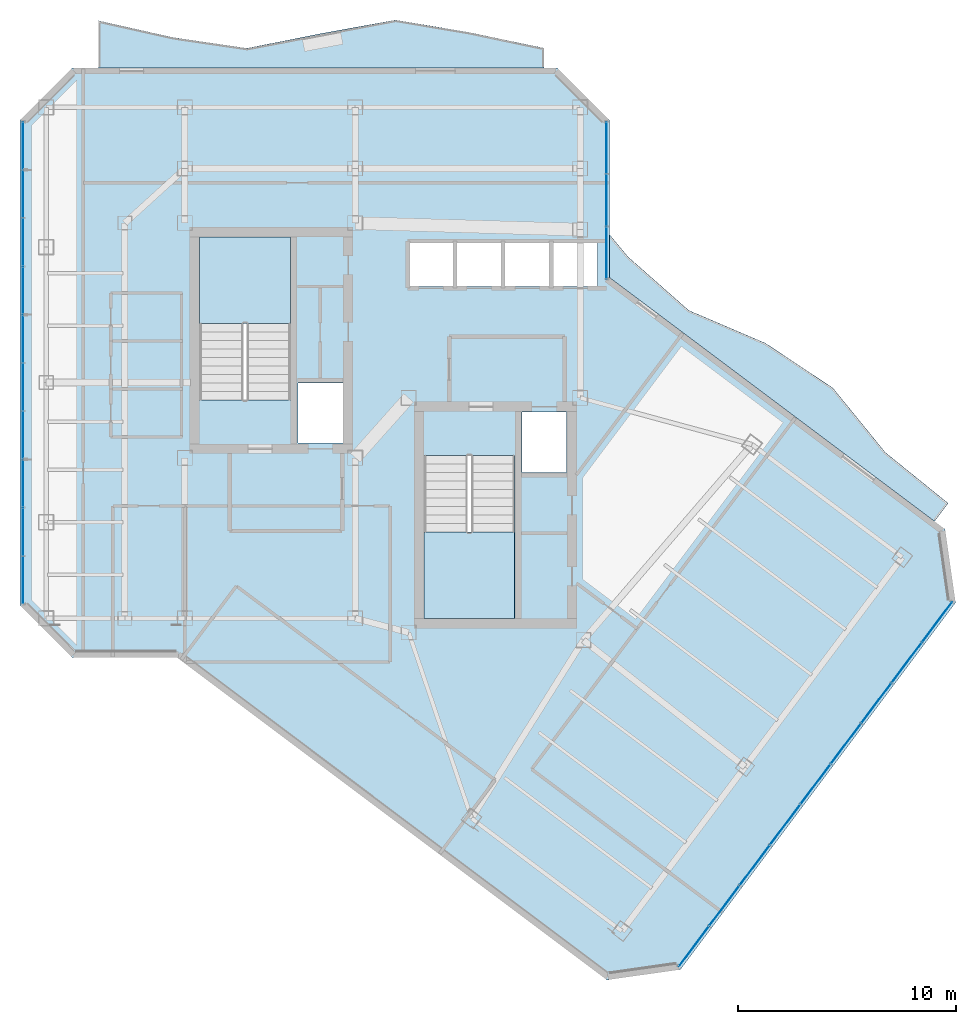
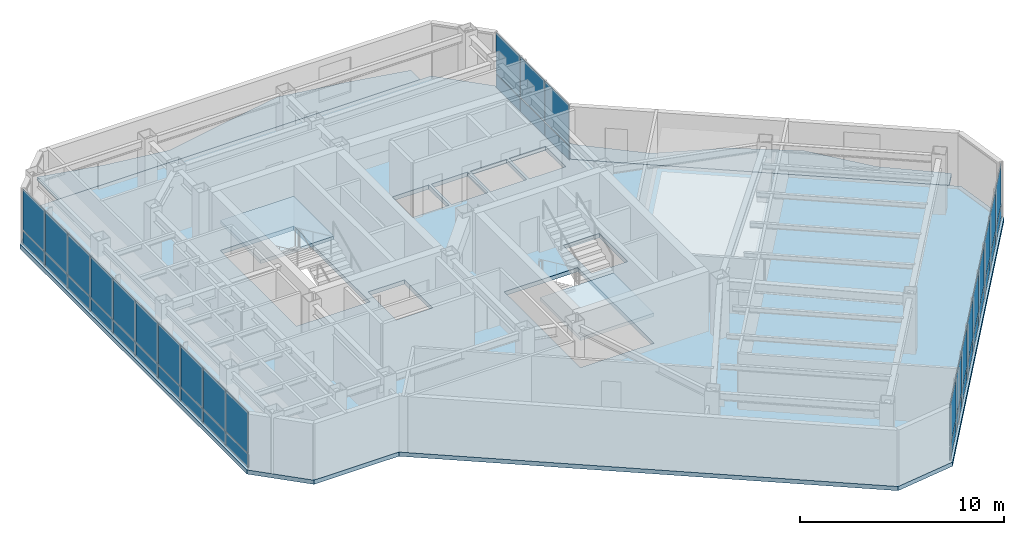
# One storey, part 18 of 25: 44 plates, 5 slabs, 5 elements without a shape of their own.
"""IFC4 building model written with IfcOpenShell, lengths in metres."""

from ifc_helpers import new_model, si_unit, direction, frame, origin, origin_2d, place, context, subcontext, project, spatial, polyline, rectangle, outline, extrude, material, layer, layer_set, type_object, element, aggregate, save


model = new_model("IFC4")

# Units and contexts
model_context = context("Model", 3, precision=1e-05, world=origin(), true_north=direction((0.0, 1.0)))
body_context = subcontext(model_context, "Body", "Model", "MODEL_VIEW")
ifc_project = project(units=[si_unit("LENGTHUNIT", "METRE"), si_unit("AREAUNIT", "SQUARE_METRE"), si_unit("VOLUMEUNIT", "CUBIC_METRE"), si_unit("PLANEANGLEUNIT", "RADIAN"), si_unit("MASSUNIT", "GRAM", prefix="KILO")], contexts=[model_context])

# Site, building, storey
site_placement = place(None, origin())
site = spatial("IfcSite", under=ifc_project, at=site_placement, CompositionType="ELEMENT")
building_placement = place(site_placement, origin())
building = spatial("IfcBuilding", under=site, at=building_placement, Name="Hatsunagi Terrace Concourse", CompositionType="ELEMENT")
storey_placement = place(building_placement, frame((0.0, 0.0, 220.35009765625)))
storey = spatial("IfcBuildingStorey", under=building, at=storey_placement, Name="L58", CompositionType="ELEMENT", Elevation=220.35009765625)

# Curtain wall, plates
ifc_material_1 = material(Name="Anodised Aluminium Alloy 6063-T5", Category="aluminium")
ifc_layer_1 = layer(ifc_material_1, 0.199951171875)
ifc_layer_set_1 = layer_set([ifc_layer_1], Name="OfficeZone2_CW04")
curtain_wall_type = type_object("IfcCurtainWallType", Name="OfficeZone2_CW04", PredefinedType="NOTDEFINED", material=ifc_layer_set_1)
curtain_wall_1_placement = place(storey_placement, origin())
curtain_wall_1 = element("IfcCurtainWall", 1, at=curtain_wall_1_placement, inside=storey, type_object=curtain_wall_type, Name="Unitised Curtain Wall CW-04 CW-L58-03", PredefinedType="NOTDEFINED")
ifc_material_2 = material(Name="Warm Terracotta Ceramic Spandrel Panel", Category="masonry")
ifc_layer_2 = layer(ifc_material_2, 0.031982421875)
ifc_layer_set_2 = layer_set([ifc_layer_2], Name="CurtainWallSpandrelPanel_32")
plate_type_1 = type_object("IfcPlateType", Name="CurtainWallSpandrelPanel_32", PredefinedType="SHEET", material=ifc_layer_set_2)
plate_1_placement = place(storey_placement, frame((59.9970703125, 25.030029296875, 0.02978515625), z_axis=(0.0, 0.0, 1.0), x_axis=(-0.599969314634, -0.800023013105, 0.0)))
plate_1 = element("IfcPlate", 2, at=plate_1_placement, type_object=plate_type_1, Name="Terracotta Spandrel Panel SPN-01", PredefinedType="SHEET", context=body_context, shape_type="SweptSolid", body=[
    extrude(rectangle(XDim=2.264892578125, YDim=0.031982421875, at=origin_2d()), origin(), (0.0, 0.0, 1.0), 0.7900390625),
])
plate_2_placement = place(storey_placement, frame((58.60498046875, 23.173095703125, 0.02978515625), z_axis=(0.0, 0.0, 1.0), x_axis=(-0.599969314634, -0.800023013105, 0.0)))
plate_2 = element("IfcPlate", 3, at=plate_2_placement, type_object=plate_type_1, Name="Terracotta Spandrel Panel SPN-01", PredefinedType="SHEET", context=body_context, shape_type="SweptSolid", body=[
    extrude(rectangle(XDim=2.264892578125, YDim=0.031982421875, at=origin_2d()), origin(), (0.0, 0.0, 1.0), 0.7900390625),
])
plate_3_placement = place(storey_placement, frame((57.2119140625, 21.31689453125, 0.02978515625), z_axis=(0.0, 0.0, 1.0), x_axis=(-0.599969314634, -0.800023013105, 0.0)))
plate_3 = element("IfcPlate", 4, at=plate_3_placement, type_object=plate_type_1, Name="Terracotta Spandrel Panel SPN-01", PredefinedType="SHEET", context=body_context, shape_type="SweptSolid", body=[
    extrude(rectangle(XDim=2.264892578125, YDim=0.031982421875, at=origin_2d()), origin(), (0.0, 0.0, 1.0), 0.7900390625),
])
plate_4_placement = place(storey_placement, frame((55.820068359375, 19.4599609375, 0.02978515625), z_axis=(0.0, 0.0, 1.0), x_axis=(-0.599969314634, -0.800023013105, 0.0)))
plate_4 = element("IfcPlate", 5, at=plate_4_placement, type_object=plate_type_1, Name="Terracotta Spandrel Panel SPN-01", PredefinedType="SHEET", context=body_context, shape_type="SweptSolid", body=[
    extrude(rectangle(XDim=2.264892578125, YDim=0.031982421875, at=origin_2d()), origin(), (0.0, 0.0, 1.0), 0.7900390625),
])
plate_5_placement = place(storey_placement, frame((54.427978515625, 17.60400390625, 0.02978515625), z_axis=(0.0, 0.0, 1.0), x_axis=(-0.599969314634, -0.800023013105, 0.0)))
plate_5 = element("IfcPlate", 6, at=plate_5_placement, type_object=plate_type_1, Name="Terracotta Spandrel Panel SPN-01", PredefinedType="SHEET", context=body_context, shape_type="SweptSolid", body=[
    extrude(rectangle(XDim=2.264892578125, YDim=0.031982421875, at=origin_2d()), origin(), (0.0, 0.0, 1.0), 0.7900390625),
])
plate_6_placement = place(storey_placement, frame((53.035888671875, 15.748046875, 0.02978515625), z_axis=(0.0, 0.0, 1.0), x_axis=(-0.599969314634, -0.800023013105, 0.0)))
plate_6 = element("IfcPlate", 7, at=plate_6_placement, type_object=plate_type_1, Name="Terracotta Spandrel Panel SPN-01", PredefinedType="SHEET", context=body_context, shape_type="SweptSolid", body=[
    extrude(rectangle(XDim=2.264892578125, YDim=0.031982421875, at=origin_2d()), origin(), (0.0, 0.0, 1.0), 0.7900390625),
])
plate_7_placement = place(storey_placement, frame((51.64404296875, 13.89111328125, 0.02978515625), z_axis=(0.0, 0.0, 1.0), x_axis=(-0.599969314634, -0.800023013105, 0.0)))
plate_7 = element("IfcPlate", 8, at=plate_7_placement, type_object=plate_type_1, Name="Terracotta Spandrel Panel SPN-01", PredefinedType="SHEET", context=body_context, shape_type="SweptSolid", body=[
    extrude(rectangle(XDim=2.264892578125, YDim=0.031982421875, at=origin_2d()), origin(), (0.0, 0.0, 1.0), 0.7900390625),
])
plate_8_placement = place(storey_placement, frame((50.2509765625, 12.034912109375, 0.02978515625), z_axis=(0.0, 0.0, 1.0), x_axis=(-0.599969314634, -0.800023013105, 0.0)))
plate_8 = element("IfcPlate", 9, at=plate_8_placement, type_object=plate_type_1, Name="Terracotta Spandrel Panel SPN-01", PredefinedType="SHEET", context=body_context, shape_type="SweptSolid", body=[
    extrude(rectangle(XDim=2.264892578125, YDim=0.031982421875, at=origin_2d()), origin(), (0.0, 0.0, 1.0), 0.7900390625),
])
plate_9_placement = place(storey_placement, frame((48.85888671875, 10.177978515625, 0.02978515625), z_axis=(0.0, 0.0, 1.0), x_axis=(-0.599969314634, -0.800023013105, 0.0)))
plate_9 = element("IfcPlate", 10, at=plate_9_placement, type_object=plate_type_1, Name="Terracotta Spandrel Panel SPN-01", PredefinedType="SHEET", context=body_context, shape_type="SweptSolid", body=[
    extrude(rectangle(XDim=2.264892578125, YDim=0.031982421875, at=origin_2d()), origin(), (0.0, 0.0, 1.0), 0.7900390625),
])

curtain_wall_2_placement = place(storey_placement, origin())
curtain_wall_2 = element("IfcCurtainWall", 11, at=curtain_wall_2_placement, inside=storey, type_object=curtain_wall_type, Name="Unitised Curtain Wall CW-04 CW-L58-08", PredefinedType="NOTDEFINED")
plate_10_placement = place(storey_placement, frame((18.139892578125, 26.9619140625, 0.02978515625), z_axis=(0.0, 0.0, 1.0), x_axis=(0.0, 1.0, 0.0)))
plate_10 = element("IfcPlate", 12, at=plate_10_placement, type_object=plate_type_1, Name="Terracotta Spandrel Panel SPN-01", PredefinedType="SHEET", context=body_context, shape_type="SweptSolid", body=[
    extrude(rectangle(XDim=2.153076171875, YDim=0.031982421875, at=origin_2d()), origin(), (0.0, 0.0, 1.0), 0.7900390625),
])
plate_11_placement = place(storey_placement, frame((18.139892578125, 29.1708984375, 0.02978515625), z_axis=(0.0, 0.0, 1.0), x_axis=(0.0, 1.0, 0.0)))
plate_11 = element("IfcPlate", 13, at=plate_11_placement, type_object=plate_type_1, Name="Terracotta Spandrel Panel SPN-01", PredefinedType="SHEET", context=body_context, shape_type="SweptSolid", body=[
    extrude(rectangle(XDim=2.153076171875, YDim=0.031982421875, at=origin_2d()), origin(), (0.0, 0.0, 1.0), 0.7900390625),
])
plate_12_placement = place(storey_placement, frame((18.139892578125, 31.37890625, 0.02978515625), z_axis=(0.0, 0.0, 1.0), x_axis=(0.0, 1.0, 0.0)))
plate_12 = element("IfcPlate", 14, at=plate_12_placement, type_object=plate_type_1, Name="Terracotta Spandrel Panel SPN-01", PredefinedType="SHEET", context=body_context, shape_type="SweptSolid", body=[
    extrude(rectangle(XDim=2.153076171875, YDim=0.031982421875, at=origin_2d()), origin(), (0.0, 0.0, 1.0), 0.7900390625),
])
plate_13_placement = place(storey_placement, frame((18.139892578125, 33.5869140625, 0.02978515625), z_axis=(0.0, 0.0, 1.0), x_axis=(0.0, 1.0, 0.0)))
plate_13 = element("IfcPlate", 15, at=plate_13_placement, type_object=plate_type_1, Name="Terracotta Spandrel Panel SPN-01", PredefinedType="SHEET", context=body_context, shape_type="SweptSolid", body=[
    extrude(rectangle(XDim=2.153076171875, YDim=0.031982421875, at=origin_2d()), origin(), (0.0, 0.0, 1.0), 0.7900390625),
])
plate_14_placement = place(storey_placement, frame((18.139892578125, 35.7958984375, 0.02978515625), z_axis=(0.0, 0.0, 1.0), x_axis=(0.0, 1.0, 0.0)))
plate_14 = element("IfcPlate", 16, at=plate_14_placement, type_object=plate_type_1, Name="Terracotta Spandrel Panel SPN-01", PredefinedType="SHEET", context=body_context, shape_type="SweptSolid", body=[
    extrude(rectangle(XDim=2.153076171875, YDim=0.031982421875, at=origin_2d()), origin(), (0.0, 0.0, 1.0), 0.7900390625),
])
plate_15_placement = place(storey_placement, frame((18.139892578125, 38.00390625, 0.02978515625), z_axis=(0.0, 0.0, 1.0), x_axis=(0.0, 1.0, 0.0)))
plate_15 = element("IfcPlate", 17, at=plate_15_placement, type_object=plate_type_1, Name="Terracotta Spandrel Panel SPN-01", PredefinedType="SHEET", context=body_context, shape_type="SweptSolid", body=[
    extrude(rectangle(XDim=2.153076171875, YDim=0.031982421875, at=origin_2d()), origin(), (0.0, 0.0, 1.0), 0.7900390625),
])
plate_16_placement = place(storey_placement, frame((18.139892578125, 40.212890625, 0.02978515625), z_axis=(0.0, 0.0, 1.0), x_axis=(0.0, 1.0, 0.0)))
plate_16 = element("IfcPlate", 18, at=plate_16_placement, type_object=plate_type_1, Name="Terracotta Spandrel Panel SPN-01", PredefinedType="SHEET", context=body_context, shape_type="SweptSolid", body=[
    extrude(rectangle(XDim=2.153076171875, YDim=0.031982421875, at=origin_2d()), origin(), (0.0, 0.0, 1.0), 0.7900390625),
])
plate_17_placement = place(storey_placement, frame((18.139892578125, 42.4208984375, 0.02978515625), z_axis=(0.0, 0.0, 1.0), x_axis=(0.0, 1.0, 0.0)))
plate_17 = element("IfcPlate", 19, at=plate_17_placement, type_object=plate_type_1, Name="Terracotta Spandrel Panel SPN-01", PredefinedType="SHEET", context=body_context, shape_type="SweptSolid", body=[
    extrude(rectangle(XDim=2.153076171875, YDim=0.031982421875, at=origin_2d()), origin(), (0.0, 0.0, 1.0), 0.7900390625),
])
plate_18_placement = place(storey_placement, frame((18.139892578125, 44.62890625, 0.02978515625), z_axis=(0.0, 0.0, 1.0), x_axis=(0.0, 1.0, 0.0)))
plate_18 = element("IfcPlate", 20, at=plate_18_placement, type_object=plate_type_1, Name="Terracotta Spandrel Panel SPN-01", PredefinedType="SHEET", context=body_context, shape_type="SweptSolid", body=[
    extrude(rectangle(XDim=2.153076171875, YDim=0.031982421875, at=origin_2d()), origin(), (0.0, 0.0, 1.0), 0.7900390625),
])
plate_19_placement = place(storey_placement, frame((18.139892578125, 46.837890625, 0.02978515625), z_axis=(0.0, 0.0, 1.0), x_axis=(0.0, 1.0, 0.0)))
plate_19 = element("IfcPlate", 21, at=plate_19_placement, type_object=plate_type_1, Name="Terracotta Spandrel Panel SPN-01", PredefinedType="SHEET", context=body_context, shape_type="SweptSolid", body=[
    extrude(rectangle(XDim=2.153076171875, YDim=0.031982421875, at=origin_2d()), origin(), (0.0, 0.0, 1.0), 0.7900390625),
])

curtain_wall_3_placement = place(storey_placement, origin())
curtain_wall_3 = element("IfcCurtainWall", 22, at=curtain_wall_3_placement, inside=storey, type_object=curtain_wall_type, Name="Unitised Curtain Wall CW-04 CW-L58-12", PredefinedType="NOTDEFINED")
plate_20_placement = place(storey_placement, frame((44.860107421875, 46.739990234375, 0.02978515625), z_axis=(0.0, 0.0, 1.0), x_axis=(0.0, -1.0, 0.0)))
plate_20 = element("IfcPlate", 23, at=plate_20_placement, type_object=plate_type_1, Name="Terracotta Spandrel Panel SPN-01", PredefinedType="SHEET", context=body_context, shape_type="SweptSolid", body=[
    extrude(rectangle(XDim=2.34912109375, YDim=0.031982421875, at=origin_2d()), origin(), (0.0, 0.0, 1.0), 0.7900390625),
])
plate_21_placement = place(storey_placement, frame((44.860107421875, 44.3359375, 0.02978515625), z_axis=(0.0, 0.0, 1.0), x_axis=(0.0, -1.0, 0.0)))
plate_21 = element("IfcPlate", 24, at=plate_21_placement, type_object=plate_type_1, Name="Terracotta Spandrel Panel SPN-01", PredefinedType="SHEET", context=body_context, shape_type="SweptSolid", body=[
    extrude(rectangle(XDim=2.34912109375, YDim=0.031982421875, at=origin_2d()), origin(), (0.0, 0.0, 1.0), 0.7900390625),
])
plate_22_placement = place(storey_placement, frame((44.860107421875, 41.931884765625, 0.02978515625), z_axis=(0.0, 0.0, 1.0), x_axis=(0.0, -1.0, 0.0)))
plate_22 = element("IfcPlate", 25, at=plate_22_placement, type_object=plate_type_1, Name="Terracotta Spandrel Panel SPN-01", PredefinedType="SHEET", context=body_context, shape_type="SweptSolid", body=[
    extrude(rectangle(XDim=2.34912109375, YDim=0.031982421875, at=origin_2d()), origin(), (0.0, 0.0, 1.0), 0.7900390625),
])

# Plate
ifc_material_3 = material(Name="Low-E Double Insulating Glass 28mm", Category="glass")
ifc_layer_3 = layer(ifc_material_3, 0.028076171875)
ifc_layer_set_3 = layer_set([ifc_layer_3], Name="CurtainWallVisionGlass_28")
plate_type_2 = type_object("IfcPlateType", Name="CurtainWallVisionGlass_28", PredefinedType="CURTAIN_PANEL", material=ifc_layer_set_3)
plate_23_placement = place(storey_placement, frame((59.9970703125, 25.030029296875, 0.8798828125), z_axis=(0.0, 0.0, 1.0), x_axis=(-0.599969314634, -0.800023013105, 0.0)))
plate_23 = element("IfcPlate", 26, at=plate_23_placement, type_object=plate_type_2, Name="Low-E Vision Glass Panel GLZ-01", PredefinedType="CURTAIN_PANEL", context=body_context, shape_type="SweptSolid", body=[
    extrude(rectangle(XDim=2.264892578125, YDim=0.028076171875, at=origin_2d()), origin(), (0.0, 0.0, 1.0), 2.43994140625),
])

plate_24_placement = place(storey_placement, frame((58.60498046875, 23.173095703125, 0.8798828125), z_axis=(0.0, 0.0, 1.0), x_axis=(-0.599969314634, -0.800023013105, 0.0)))
plate_24 = element("IfcPlate", 27, at=plate_24_placement, type_object=plate_type_2, Name="Low-E Vision Glass Panel GLZ-01", PredefinedType="CURTAIN_PANEL", context=body_context, shape_type="SweptSolid", body=[
    extrude(rectangle(XDim=2.264892578125, YDim=0.028076171875, at=origin_2d()), origin(), (0.0, 0.0, 1.0), 2.43994140625),
])

plate_25_placement = place(storey_placement, frame((57.2119140625, 21.31689453125, 0.8798828125), z_axis=(0.0, 0.0, 1.0), x_axis=(-0.599969314634, -0.800023013105, 0.0)))
plate_25 = element("IfcPlate", 28, at=plate_25_placement, type_object=plate_type_2, Name="Low-E Vision Glass Panel GLZ-01", PredefinedType="CURTAIN_PANEL", context=body_context, shape_type="SweptSolid", body=[
    extrude(rectangle(XDim=2.264892578125, YDim=0.028076171875, at=origin_2d()), origin(), (0.0, 0.0, 1.0), 2.43994140625),
])

plate_26_placement = place(storey_placement, frame((55.820068359375, 19.4599609375, 0.8798828125), z_axis=(0.0, 0.0, 1.0), x_axis=(-0.599969314634, -0.800023013105, 0.0)))
plate_26 = element("IfcPlate", 29, at=plate_26_placement, type_object=plate_type_2, Name="Low-E Vision Glass Panel GLZ-01", PredefinedType="CURTAIN_PANEL", context=body_context, shape_type="SweptSolid", body=[
    extrude(rectangle(XDim=2.264892578125, YDim=0.028076171875, at=origin_2d()), origin(), (0.0, 0.0, 1.0), 2.43994140625),
])

plate_27_placement = place(storey_placement, frame((54.427978515625, 17.60400390625, 0.8798828125), z_axis=(0.0, 0.0, 1.0), x_axis=(-0.599969314634, -0.800023013105, 0.0)))
plate_27 = element("IfcPlate", 30, at=plate_27_placement, type_object=plate_type_2, Name="Low-E Vision Glass Panel GLZ-01", PredefinedType="CURTAIN_PANEL", context=body_context, shape_type="SweptSolid", body=[
    extrude(rectangle(XDim=2.264892578125, YDim=0.028076171875, at=origin_2d()), origin(), (0.0, 0.0, 1.0), 2.43994140625),
])

plate_28_placement = place(storey_placement, frame((53.035888671875, 15.748046875, 0.8798828125), z_axis=(0.0, 0.0, 1.0), x_axis=(-0.599969314634, -0.800023013105, 0.0)))
plate_28 = element("IfcPlate", 31, at=plate_28_placement, type_object=plate_type_2, Name="Low-E Vision Glass Panel GLZ-01", PredefinedType="CURTAIN_PANEL", context=body_context, shape_type="SweptSolid", body=[
    extrude(rectangle(XDim=2.264892578125, YDim=0.028076171875, at=origin_2d()), origin(), (0.0, 0.0, 1.0), 2.43994140625),
])

plate_29_placement = place(storey_placement, frame((51.64404296875, 13.89111328125, 0.8798828125), z_axis=(0.0, 0.0, 1.0), x_axis=(-0.599969314634, -0.800023013105, 0.0)))
plate_29 = element("IfcPlate", 32, at=plate_29_placement, type_object=plate_type_2, Name="Low-E Vision Glass Panel GLZ-01", PredefinedType="CURTAIN_PANEL", context=body_context, shape_type="SweptSolid", body=[
    extrude(rectangle(XDim=2.264892578125, YDim=0.028076171875, at=origin_2d()), origin(), (0.0, 0.0, 1.0), 2.43994140625),
])

plate_30_placement = place(storey_placement, frame((50.2509765625, 12.034912109375, 0.8798828125), z_axis=(0.0, 0.0, 1.0), x_axis=(-0.599969314634, -0.800023013105, 0.0)))
plate_30 = element("IfcPlate", 33, at=plate_30_placement, type_object=plate_type_2, Name="Low-E Vision Glass Panel GLZ-01", PredefinedType="CURTAIN_PANEL", context=body_context, shape_type="SweptSolid", body=[
    extrude(rectangle(XDim=2.264892578125, YDim=0.028076171875, at=origin_2d()), origin(), (0.0, 0.0, 1.0), 2.43994140625),
])

plate_31_placement = place(storey_placement, frame((48.85888671875, 10.177978515625, 0.8798828125), z_axis=(0.0, 0.0, 1.0), x_axis=(-0.599969314634, -0.800023013105, 0.0)))
plate_31 = element("IfcPlate", 34, at=plate_31_placement, type_object=plate_type_2, Name="Low-E Vision Glass Panel GLZ-01", PredefinedType="CURTAIN_PANEL", context=body_context, shape_type="SweptSolid", body=[
    extrude(rectangle(XDim=2.264892578125, YDim=0.028076171875, at=origin_2d()), origin(), (0.0, 0.0, 1.0), 2.43994140625),
])

aggregate(curtain_wall_1, [plate_1, plate_23, plate_2, plate_24, plate_3, plate_25, plate_4, plate_26, plate_5, plate_27, plate_6, plate_28, plate_7, plate_29, plate_8, plate_30, plate_9, plate_31])

plate_32_placement = place(storey_placement, frame((18.139892578125, 26.9619140625, 0.8798828125), z_axis=(0.0, 0.0, 1.0), x_axis=(0.0, 1.0, 0.0)))
plate_32 = element("IfcPlate", 35, at=plate_32_placement, type_object=plate_type_2, Name="Low-E Vision Glass Panel GLZ-01", PredefinedType="CURTAIN_PANEL", context=body_context, shape_type="SweptSolid", body=[
    extrude(rectangle(XDim=2.153076171875, YDim=0.028076171875, at=origin_2d()), origin(), (0.0, 0.0, 1.0), 2.43994140625),
])

plate_33_placement = place(storey_placement, frame((18.139892578125, 29.1708984375, 0.8798828125), z_axis=(0.0, 0.0, 1.0), x_axis=(0.0, 1.0, 0.0)))
plate_33 = element("IfcPlate", 36, at=plate_33_placement, type_object=plate_type_2, Name="Low-E Vision Glass Panel GLZ-01", PredefinedType="CURTAIN_PANEL", context=body_context, shape_type="SweptSolid", body=[
    extrude(rectangle(XDim=2.153076171875, YDim=0.028076171875, at=origin_2d()), origin(), (0.0, 0.0, 1.0), 2.43994140625),
])

plate_34_placement = place(storey_placement, frame((18.139892578125, 31.37890625, 0.8798828125), z_axis=(0.0, 0.0, 1.0), x_axis=(0.0, 1.0, 0.0)))
plate_34 = element("IfcPlate", 37, at=plate_34_placement, type_object=plate_type_2, Name="Low-E Vision Glass Panel GLZ-01", PredefinedType="CURTAIN_PANEL", context=body_context, shape_type="SweptSolid", body=[
    extrude(rectangle(XDim=2.153076171875, YDim=0.028076171875, at=origin_2d()), origin(), (0.0, 0.0, 1.0), 2.43994140625),
])

plate_35_placement = place(storey_placement, frame((18.139892578125, 33.5869140625, 0.8798828125), z_axis=(0.0, 0.0, 1.0), x_axis=(0.0, 1.0, 0.0)))
plate_35 = element("IfcPlate", 38, at=plate_35_placement, type_object=plate_type_2, Name="Low-E Vision Glass Panel GLZ-01", PredefinedType="CURTAIN_PANEL", context=body_context, shape_type="SweptSolid", body=[
    extrude(rectangle(XDim=2.153076171875, YDim=0.028076171875, at=origin_2d()), origin(), (0.0, 0.0, 1.0), 2.43994140625),
])

plate_36_placement = place(storey_placement, frame((18.139892578125, 35.7958984375, 0.8798828125), z_axis=(0.0, 0.0, 1.0), x_axis=(0.0, 1.0, 0.0)))
plate_36 = element("IfcPlate", 39, at=plate_36_placement, type_object=plate_type_2, Name="Low-E Vision Glass Panel GLZ-01", PredefinedType="CURTAIN_PANEL", context=body_context, shape_type="SweptSolid", body=[
    extrude(rectangle(XDim=2.153076171875, YDim=0.028076171875, at=origin_2d()), origin(), (0.0, 0.0, 1.0), 2.43994140625),
])

plate_37_placement = place(storey_placement, frame((18.139892578125, 38.00390625, 0.8798828125), z_axis=(0.0, 0.0, 1.0), x_axis=(0.0, 1.0, 0.0)))
plate_37 = element("IfcPlate", 40, at=plate_37_placement, type_object=plate_type_2, Name="Low-E Vision Glass Panel GLZ-01", PredefinedType="CURTAIN_PANEL", context=body_context, shape_type="SweptSolid", body=[
    extrude(rectangle(XDim=2.153076171875, YDim=0.028076171875, at=origin_2d()), origin(), (0.0, 0.0, 1.0), 2.43994140625),
])

plate_38_placement = place(storey_placement, frame((18.139892578125, 40.212890625, 0.8798828125), z_axis=(0.0, 0.0, 1.0), x_axis=(0.0, 1.0, 0.0)))
plate_38 = element("IfcPlate", 41, at=plate_38_placement, type_object=plate_type_2, Name="Low-E Vision Glass Panel GLZ-01", PredefinedType="CURTAIN_PANEL", context=body_context, shape_type="SweptSolid", body=[
    extrude(rectangle(XDim=2.153076171875, YDim=0.028076171875, at=origin_2d()), origin(), (0.0, 0.0, 1.0), 2.43994140625),
])

plate_39_placement = place(storey_placement, frame((18.139892578125, 42.4208984375, 0.8798828125), z_axis=(0.0, 0.0, 1.0), x_axis=(0.0, 1.0, 0.0)))
plate_39 = element("IfcPlate", 42, at=plate_39_placement, type_object=plate_type_2, Name="Low-E Vision Glass Panel GLZ-01", PredefinedType="CURTAIN_PANEL", context=body_context, shape_type="SweptSolid", body=[
    extrude(rectangle(XDim=2.153076171875, YDim=0.028076171875, at=origin_2d()), origin(), (0.0, 0.0, 1.0), 2.43994140625),
])

plate_40_placement = place(storey_placement, frame((18.139892578125, 44.62890625, 0.8798828125), z_axis=(0.0, 0.0, 1.0), x_axis=(0.0, 1.0, 0.0)))
plate_40 = element("IfcPlate", 43, at=plate_40_placement, type_object=plate_type_2, Name="Low-E Vision Glass Panel GLZ-01", PredefinedType="CURTAIN_PANEL", context=body_context, shape_type="SweptSolid", body=[
    extrude(rectangle(XDim=2.153076171875, YDim=0.028076171875, at=origin_2d()), origin(), (0.0, 0.0, 1.0), 2.43994140625),
])

plate_41_placement = place(storey_placement, frame((18.139892578125, 46.837890625, 0.8798828125), z_axis=(0.0, 0.0, 1.0), x_axis=(0.0, 1.0, 0.0)))
plate_41 = element("IfcPlate", 44, at=plate_41_placement, type_object=plate_type_2, Name="Low-E Vision Glass Panel GLZ-01", PredefinedType="CURTAIN_PANEL", context=body_context, shape_type="SweptSolid", body=[
    extrude(rectangle(XDim=2.153076171875, YDim=0.028076171875, at=origin_2d()), origin(), (0.0, 0.0, 1.0), 2.43994140625),
])

aggregate(curtain_wall_2, [plate_10, plate_32, plate_11, plate_33, plate_12, plate_34, plate_13, plate_35, plate_14, plate_36, plate_15, plate_37, plate_16, plate_38, plate_17, plate_39, plate_18, plate_40, plate_19, plate_41])

plate_42_placement = place(storey_placement, frame((44.860107421875, 46.739990234375, 0.8798828125), z_axis=(0.0, 0.0, 1.0), x_axis=(0.0, -1.0, 0.0)))
plate_42 = element("IfcPlate", 45, at=plate_42_placement, type_object=plate_type_2, Name="Low-E Vision Glass Panel GLZ-01", PredefinedType="CURTAIN_PANEL", context=body_context, shape_type="SweptSolid", body=[
    extrude(rectangle(XDim=2.34912109375, YDim=0.028076171875, at=origin_2d()), origin(), (0.0, 0.0, 1.0), 2.43994140625),
])

plate_43_placement = place(storey_placement, frame((44.860107421875, 44.3359375, 0.8798828125), z_axis=(0.0, 0.0, 1.0), x_axis=(0.0, -1.0, 0.0)))
plate_43 = element("IfcPlate", 46, at=plate_43_placement, type_object=plate_type_2, Name="Low-E Vision Glass Panel GLZ-01", PredefinedType="CURTAIN_PANEL", context=body_context, shape_type="SweptSolid", body=[
    extrude(rectangle(XDim=2.34912109375, YDim=0.028076171875, at=origin_2d()), origin(), (0.0, 0.0, 1.0), 2.43994140625),
])

plate_44_placement = place(storey_placement, frame((44.860107421875, 41.931884765625, 0.8798828125), z_axis=(0.0, 0.0, 1.0), x_axis=(0.0, -1.0, 0.0)))
plate_44 = element("IfcPlate", 47, at=plate_44_placement, type_object=plate_type_2, Name="Low-E Vision Glass Panel GLZ-01", PredefinedType="CURTAIN_PANEL", context=body_context, shape_type="SweptSolid", body=[
    extrude(rectangle(XDim=2.34912109375, YDim=0.028076171875, at=origin_2d()), origin(), (0.0, 0.0, 1.0), 2.43994140625),
])

aggregate(curtain_wall_3, [plate_20, plate_42, plate_21, plate_43, plate_22, plate_44])

# Stair, slab
ifc_material_4 = material(Name="Concrete Fc42", Category="concrete")
stair_type = type_object("IfcStairType", Name="DoglegExitStair_Tower2000_20R_180", PredefinedType="HALF_TURN_STAIR", material=ifc_material_4)
stair_1_placement = place(storey_placement, origin())
stair_1 = element("IfcStair", 48, at=stair_1_placement, inside=storey, type_object=stair_type, Name="L58 Core A Protected Exit Stair ST-A", PredefinedType="HALF_TURN_STAIR")
ifc_material_5 = material(Name="Concrete Fc42", Category="concrete")
ifc_layer_4 = layer(ifc_material_5, 0.199951171875)
ifc_layer_set_4 = layer_set([ifc_layer_4], Name="DoglegStairLanding_Tower2000")
slab_type_1 = type_object("IfcSlabType", Name="DoglegStairLanding_Tower2000", PredefinedType="LANDING", material=ifc_layer_set_4)
slab_1_placement = place(storey_placement, frame((0.0, 0.0, 1.599853515625)))
slab_1 = element("IfcSlab", 49, at=slab_1_placement, type_object=slab_type_1, Name="ST-A landing 1", PredefinedType="LANDING", context=body_context, shape_type="SweptSolid", body=[
    extrude(outline(polyline([(30.3798828125, 38.7099609375), (30.3798828125, 42.659912109375), (26.22998046875, 42.659912109375), (26.22998046875, 38.7099609375), (30.3798828125, 38.7099609375)])), origin(), (0.0, 0.0, 1.0), 0.199951171875),
])
aggregate(stair_1, [slab_1])

stair_2_placement = place(storey_placement, origin())
stair_2 = element("IfcStair", 50, at=stair_2_placement, inside=storey, type_object=stair_type, Name="L58 Core B Protected Exit Stair ST-B", PredefinedType="HALF_TURN_STAIR")
slab_2_placement = place(storey_placement, frame((0.0, 0.0, 1.599853515625)))
slab_2 = element("IfcSlab", 51, at=slab_2_placement, type_object=slab_type_1, Name="ST-B landing 1", PredefinedType="LANDING", context=body_context, shape_type="SweptSolid", body=[
    extrude(outline(polyline([(36.5, 29.14990234375), (36.5, 25.199951171875), (40.64990234375, 25.199951171875), (40.64990234375, 29.14990234375), (36.5, 29.14990234375)])), origin(), (0.0, 0.0, 1.0), 0.199951171875),
])
aggregate(stair_2, [slab_2])

# Slabs
ifc_material_6 = material(Name="Concrete Fc42", Category="concrete")
ifc_layer_5 = layer(ifc_material_6, 0.199951171875)
ifc_layer_set_5 = layer_set([ifc_layer_5], Name="EngawaBalconySlab_Fc42_200")
slab_type_2 = type_object("IfcSlabType", Name="EngawaBalconySlab_Fc42_200", PredefinedType="FLOOR", material=ifc_layer_set_5)
slab_3_placement = place(storey_placement, frame((0.0, 0.0, -0.2001953125)))
element("IfcSlab", 52, at=slab_3_placement, inside=storey, type_object=slab_type_2, Name="Engawa Balcony Slab BAL-L58-BN", PredefinedType="FLOOR", context=body_context, shape_type="SweptSolid", body=[
    extrude(outline(polyline([(21.60009765625, 52.568115234375), (21.60009765625, 50.39990234375), (42.0, 50.39990234375), (42.0, 51.31396484375), (38.60009765625, 52.029052734375), (35.199951171875, 52.60009765625), (31.800048828125, 51.98388671875), (28.39990234375, 51.305908203125), (25.0, 51.803955078125), (21.60009765625, 52.568115234375)])), origin(), (0.0, 0.0, 1.0), 0.2001953125),
])
slab_4_placement = place(storey_placement, frame((0.0, 0.0, -0.2001953125)))
element("IfcSlab", 53, at=slab_4_placement, inside=storey, type_object=slab_type_2, Name="Engawa Balcony Slab BAL-L58-BSE", PredefinedType="FLOOR", context=body_context, shape_type="SweptSolid", body=[
    extrude(outline(polyline([(45.842041015625, 41.756103515625), (44.99609375, 42.77197265625), (44.99609375, 40.802978515625), (59.8798828125, 29.639892578125), (60.5029296875, 30.469970703125), (57.6240234375, 32.798095703125), (55.217041015625, 35.756103515625), (52.1279296875, 37.803955078125), (48.6259765625, 39.301025390625), (45.842041015625, 41.756103515625)])), origin(), (0.0, 0.0, 1.0), 0.2001953125),
])
ifc_material_7 = material(Name="Concrete Fc42", Category="concrete")
ifc_layer_6 = layer(ifc_material_7, 0.25)
ifc_layer_set_6 = layer_set([ifc_layer_6], Name="OfficeCrownSlab_Fc42_250")
slab_type_3 = type_object("IfcSlabType", Name="OfficeCrownSlab_Fc42_250", PredefinedType="FLOOR", material=ifc_layer_set_6)
slab_5_placement = place(storey_placement, frame((0.0, 0.0, -0.25)))
element("IfcSlab", 54, at=slab_5_placement, inside=storey, type_object=slab_type_3, Name="Floor Slab SL-250 L58", PredefinedType="FLOOR", context=body_context, shape_type="SweptSolid", body=[
    extrude(outline(polyline([(45.0, 40.800048828125), (45.0, 48.0), (42.60009765625, 50.39990234375), (20.39990234375, 50.39990234375), (18.0, 48.0), (18.0, 25.800048828125), (20.39990234375, 23.39990234375), (25.199951171875, 23.39990234375), (44.8798828125, 8.639892578125), (48.239990234375, 9.1201171875), (60.840087890625, 25.919921875), (60.360107421875, 29.280029296875), (45.0, 40.800048828125)]), holes=[polyline([(26.22998046875, 35.205078125), (30.3798828125, 35.205078125), (30.3798828125, 42.659912109375), (26.22998046875, 42.659912109375), (26.22998046875, 35.205078125)]), polyline([(36.5, 25.199951171875), (40.64990234375, 25.199951171875), (40.64990234375, 32.655029296875), (36.5, 32.655029296875), (36.5, 25.199951171875)]), polyline([(30.719970703125, 33.219970703125), (32.780029296875, 33.219970703125), (32.780029296875, 35.97998046875), (30.719970703125, 35.97998046875), (30.719970703125, 33.219970703125)]), polyline([(40.97998046875, 31.8798828125), (43.02001953125, 31.8798828125), (43.02001953125, 34.639892578125), (40.97998046875, 34.639892578125), (40.97998046875, 31.8798828125)]), polyline([(35.800048828125, 40.39990234375), (37.85009765625, 40.39990234375), (37.85009765625, 42.39990234375), (35.800048828125, 42.39990234375), (35.800048828125, 40.39990234375)]), polyline([(38.0, 40.39990234375), (40.050048828125, 40.39990234375), (40.050048828125, 42.39990234375), (38.0, 42.39990234375), (38.0, 40.39990234375)]), polyline([(40.199951171875, 40.39990234375), (42.25, 40.39990234375), (42.25, 42.39990234375), (40.199951171875, 42.39990234375), (40.199951171875, 40.39990234375)]), polyline([(42.39990234375, 40.39990234375), (44.449951171875, 40.39990234375), (44.449951171875, 42.39990234375), (42.39990234375, 42.39990234375), (42.39990234375, 40.39990234375)])]), origin(), (0.0, 0.0, 1.0), 0.25),
])

save(model, "model.ifc")
